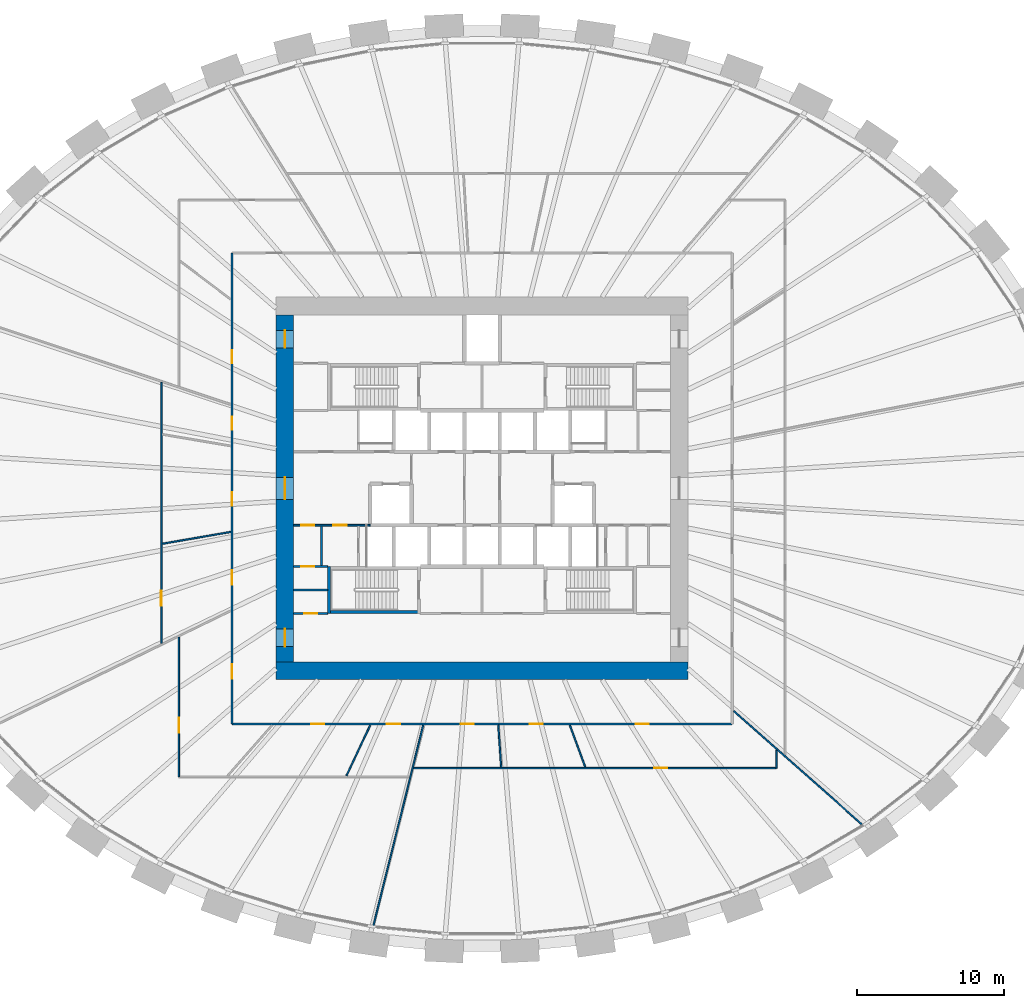
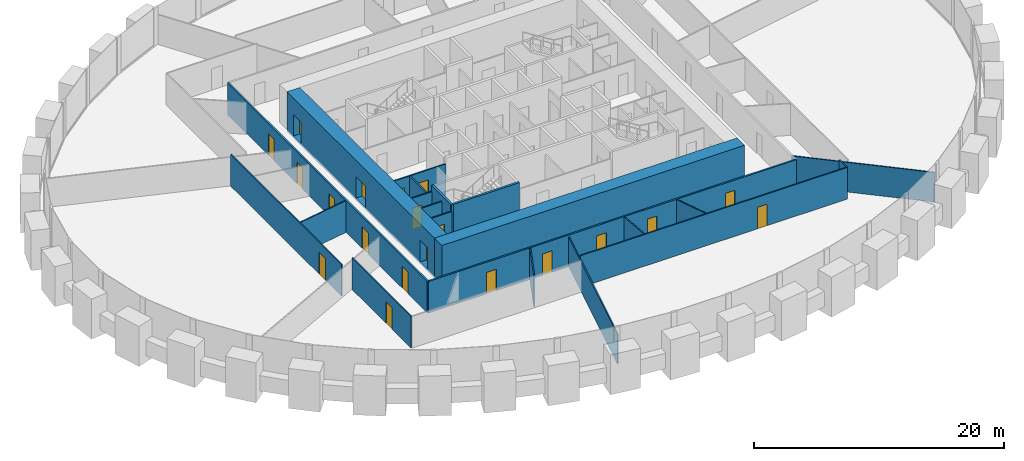
# One storey, part 6 of 11: 21 walls, 20 doors, 20 openings.
"""IFC4 building model written with IfcOpenShell, lengths in metres."""

from ifc_helpers import new_model, si_unit, direction, frame, frame_2d, origin, place, context, subcontext, project, spatial, rectangle, extrude, source, transform, mapped, material, layer, layer_set, type_object, element, fill, save


model = new_model("IFC4")

# Units and contexts
model_context = context("Model", 3, precision=1e-05, world=origin(), true_north=direction((0.0, 1.0)))
body_context = subcontext(model_context, "Body", "Model", "MODEL_VIEW")
ifc_project = project(units=[si_unit("LENGTHUNIT", "METRE"), si_unit("AREAUNIT", "SQUARE_METRE"), si_unit("VOLUMEUNIT", "CUBIC_METRE"), si_unit("PLANEANGLEUNIT", "RADIAN"), si_unit("MASSUNIT", "GRAM", prefix="KILO")], contexts=[model_context])

# Site, building, storey
site_placement = place(None, origin())
site = spatial("IfcSite", under=ifc_project, at=site_placement, CompositionType="ELEMENT")
building_placement = place(site_placement, origin())
building = spatial("IfcBuilding", under=site, at=building_placement, Name="Embergate Tower", CompositionType="ELEMENT")
storey_placement = place(building_placement, frame((0.0, 0.0, 58.10009765625)))
storey = spatial("IfcBuildingStorey", under=building, at=storey_placement, Name="L10", CompositionType="ELEMENT", Elevation=58.10009765625)

# Wall
ifc_material_1 = material(Name="Concrete C80", Category="concrete")
ifc_layer_1 = layer(ifc_material_1, 1.199951171875)
ifc_layer_set_1 = layer_set([ifc_layer_1], Name="Concrete C80")
wall_type_1 = type_object("IfcWallType", Name="Core outer wall C80 1200", PredefinedType="SHEAR", material=ifc_layer_set_1)
shared_shape_1 = source(origin(), body_context, "Body", "SweptSolid", [
    extrude(rectangle(XDim=28.0, YDim=1.199951171875, at=frame_2d((14.0, 0.0))), origin(), (0.0, 0.0, 1.0), 3.900146484375),
])
wall_1_placement = place(storey_placement, frame((-14.0, -12.39990234375, -0.2001953125), z_axis=(0.0, 0.0, 1.0), x_axis=(1.0, 0.0, 0.0)))
element("IfcWall", 1, at=wall_1_placement, inside=storey, type_object=wall_type_1, Name="CW-L10-S", PredefinedType="SHEAR", context=body_context, shape_type="MappedRepresentation", body=[
    mapped(shared_shape_1, transform((0.0, 0.0, 0.0))),
])

# Wall, openings, doors
shared_shape_2 = source(origin(), body_context, "Body", "SweptSolid", [
    extrude(rectangle(XDim=23.60009765625, YDim=1.199951171875, at=frame_2d((11.800048828125, 0.0))), origin(), (0.0, 0.0, 1.0), 3.900146484375),
])
wall_2_placement = place(storey_placement, frame((-13.39990234375, -11.800048828125, -0.2001953125), z_axis=(0.0, 0.0, 1.0), x_axis=(0.0, 1.0, 0.0)))
wall_2 = element("IfcWall", 2, at=wall_2_placement, inside=storey, type_object=wall_type_1, Name="CW-L10-W", PredefinedType="SHEAR", context=body_context, shape_type="MappedRepresentation", body=[
    mapped(shared_shape_2, transform((0.0, 0.0, 0.0))),
])
shared_shape_3 = source(origin(), body_context, "Body", "SweptSolid", [
    extrude(rectangle(XDim=1.199951171875, YDim=2.10009765625, at=frame_2d((0.60009765625, 1.050048828125))), frame((0.0, 0.60986328125, 0.0), z_axis=(0.0, -1.0, 0.0), x_axis=(1.0, 0.0, 0.0)), (0.0, 0.0, 1.0), 1.219970703125),
])
opening_1_placement = place(wall_2_placement, frame((21.35009765625, 0.0, 0.199951171875)))
opening_1 = element("IfcOpeningElement", 3, at=opening_1_placement, cuts=wall_2, Name="Opening IF-1", PredefinedType="OPENING", context=body_context, shape_type="MappedRepresentation", body=[
    mapped(shared_shape_3, transform((0.0, 0.0, 0.0))),
])
opening_2_placement = place(wall_2_placement, frame((1.050048828125, 0.0, 0.199951171875)))
opening_2 = element("IfcOpeningElement", 4, at=opening_2_placement, cuts=wall_2, Name="Opening IF-1", PredefinedType="OPENING", context=body_context, shape_type="MappedRepresentation", body=[
    mapped(shared_shape_3, transform((0.0, 0.0, 0.0))),
])
shared_shape_4 = source(origin(), body_context, "Body", "SweptSolid", [
    extrude(rectangle(XDim=1.5, YDim=2.10009765625, at=frame_2d((0.75, 1.050048828125))), frame((0.0, 0.60986328125, 0.0), z_axis=(0.0, -1.0, 0.0), x_axis=(1.0, 0.0, 0.0)), (0.0, 0.0, 1.0), 1.219970703125),
])
opening_3_placement = place(wall_2_placement, frame((11.050048828125, 0.0, 0.199951171875)))
opening_3 = element("IfcOpeningElement", 5, at=opening_3_placement, cuts=wall_2, Name="Opening IF-3", PredefinedType="OPENING", context=body_context, shape_type="MappedRepresentation", body=[
    mapped(shared_shape_4, transform((0.0, 0.0, 0.0))),
])
ifc_material_2 = material(Name="Escape fire door 1200")
door_type_1 = type_object("IfcDoorType", Name="Escape fire door 1200", OperationType="SINGLE_SWING_LEFT", PredefinedType="DOOR", material=ifc_material_2)
shared_shape_5 = source(origin(), body_context, "Body", "SweptSolid", [
    extrude(rectangle(XDim=1.199951171875, YDim=2.10009765625, at=frame_2d((0.60009765625, 1.050048828125))), frame((0.0, 0.02490234375, 0.0), z_axis=(0.0, -1.0, 0.0), x_axis=(1.0, 0.0, 0.0)), (0.0, 0.0, 1.0), 0.050048828125),
])
door_1_placement = place(opening_1_placement, origin())
door_1 = element("IfcDoor", 6, at=door_1_placement, inside=storey, type_object=door_type_1, Name="IF-1 door", OperationType="SINGLE_SWING_RIGHT", OverallHeight=2.10009765625, OverallWidth=1.199951171875, PredefinedType="DOOR", context=body_context, shape_type="MappedRepresentation", body=[
    mapped(shared_shape_5, transform((0.0, 0.0, 0.0))),
])
fill(opening_1, door_1)
door_2_placement = place(opening_2_placement, origin())
door_2 = element("IfcDoor", 7, at=door_2_placement, inside=storey, type_object=door_type_1, Name="IF-1 door", OperationType="SINGLE_SWING_LEFT", OverallHeight=2.10009765625, OverallWidth=1.199951171875, PredefinedType="DOOR", context=body_context, shape_type="MappedRepresentation", body=[
    mapped(shared_shape_5, transform((0.0, 0.0, 0.0))),
])
fill(opening_2, door_2)
ifc_material_3 = material(Name="Lobby fire door pair 1500")
door_type_2 = type_object("IfcDoorType", Name="Lobby fire door pair 1500", OperationType="DOUBLE_DOOR_SINGLE_SWING", PredefinedType="DOOR", material=ifc_material_3)
shared_shape_6 = source(origin(), body_context, "Body", "SweptSolid", [
    extrude(rectangle(XDim=1.5, YDim=2.10009765625, at=frame_2d((0.75, 1.050048828125))), frame((0.0, 0.02490234375, 0.0), z_axis=(0.0, -1.0, 0.0), x_axis=(1.0, 0.0, 0.0)), (0.0, 0.0, 1.0), 0.050048828125),
])
door_3_placement = place(opening_3_placement, origin())
door_3 = element("IfcDoor", 8, at=door_3_placement, inside=storey, type_object=door_type_2, Name="IF-3 door", OperationType="DOUBLE_DOOR_SINGLE_SWING", OverallHeight=2.10009765625, OverallWidth=1.5, PredefinedType="DOOR", context=body_context, shape_type="MappedRepresentation", body=[
    mapped(shared_shape_6, transform((0.0, 0.0, 0.0))),
])
fill(opening_3, door_3)

# Walls
ifc_material_4 = material(Name="Concrete C50", Category="concrete")
ifc_layer_2 = layer(ifc_material_4, 0.199951171875)
ifc_layer_set_2 = layer_set([ifc_layer_2], Name="Concrete C50")
wall_type_2 = type_object("IfcWallType", Name="Stair enclosure wall reinforced concrete 250", PredefinedType="SHEAR", material=ifc_layer_set_2)
shared_shape_7 = source(origin(), body_context, "Body", "SweptSolid", [
    extrude(rectangle(XDim=6.300048828125, YDim=0.199951171875, at=frame_2d((3.14990234375, 0.0))), origin(), (0.0, 0.0, 1.0), 3.699951171875),
])
wall_3_placement = place(storey_placement, frame((-10.5, -8.39990234375, 0.0), z_axis=(0.0, 0.0, 1.0), x_axis=(1.0, 0.0, 0.0)))
element("IfcWall", 9, at=wall_3_placement, inside=storey, type_object=wall_type_2, Name="SE-1 wall", PredefinedType="SHEAR", context=body_context, shape_type="MappedRepresentation", body=[
    mapped(shared_shape_7, transform((0.0, 0.0, 0.0))),
])
shared_shape_8 = source(origin(), body_context, "Body", "SweptSolid", [
    extrude(rectangle(XDim=3.199951171875, YDim=0.199951171875, at=frame_2d((1.60009765625, 0.0))), origin(), (0.0, 0.0, 1.0), 3.699951171875),
])
wall_4_placement = place(storey_placement, frame((-10.39990234375, -5.300048828125, 0.0), z_axis=(0.0, 0.0, 1.0), x_axis=(0.0, -1.0, 0.0)))
element("IfcWall", 10, at=wall_4_placement, inside=storey, type_object=wall_type_2, Name="SE-1 wall", PredefinedType="SHEAR", context=body_context, shape_type="MappedRepresentation", body=[
    mapped(shared_shape_8, transform((0.0, 0.0, 0.0))),
])

# Wall, openings, doors
ifc_material_5 = material(Name="Core partition blockwork 120")
ifc_layer_3 = layer(ifc_material_5, 0.1201171875)
ifc_layer_set_3 = layer_set([ifc_layer_3], Name="Core partition blockwork 120")
wall_type_3 = type_object("IfcWallType", Name="Core partition blockwork 120", PredefinedType="PARTITIONING", material=ifc_layer_set_3)
shared_shape_9 = source(origin(), body_context, "Body", "SweptSolid", [
    extrude(rectangle(XDim=5.199951171875, YDim=0.1201171875, at=frame_2d((2.60009765625, 0.0))), origin(), (0.0, 0.0, 1.0), 3.099853515625),
])
wall_5_placement = place(storey_placement, frame((-7.60009765625, -2.5, 0.0), z_axis=(0.0, 0.0, 1.0), x_axis=(-1.0, 0.0, 0.0)))
wall_5 = element("IfcWall", 11, at=wall_5_placement, inside=storey, type_object=wall_type_3, Name="IP-3 wall", PredefinedType="PARTITIONING", context=body_context, shape_type="MappedRepresentation", body=[
    mapped(shared_shape_9, transform((0.0, 0.0, 0.0))),
])
shared_shape_10 = source(origin(), body_context, "Body", "SweptSolid", [
    extrude(rectangle(XDim=0.89990234375, YDim=2.10009765625, at=frame_2d((0.449951171875, 1.050048828125))), frame((0.0, 0.070068359375, 0.0), z_axis=(0.0, -1.0, 0.0), x_axis=(1.0, 0.0, 0.0)), (0.0, 0.0, 1.0), 0.14013671875),
])
opening_4_placement = place(wall_5_placement, frame((3.803955078125, 0.0, 0.0)))
opening_4 = element("IfcOpeningElement", 12, at=opening_4_placement, cuts=wall_5, Name="Opening ID-1", PredefinedType="OPENING", context=body_context, shape_type="MappedRepresentation", body=[
    mapped(shared_shape_10, transform((0.0, 0.0, 0.0))),
])
opening_5_placement = place(wall_5_placement, frame((1.60400390625, 0.0, 0.0)))
opening_5 = element("IfcOpeningElement", 13, at=opening_5_placement, cuts=wall_5, Name="Opening ID-1", PredefinedType="OPENING", context=body_context, shape_type="MappedRepresentation", body=[
    mapped(shared_shape_10, transform((0.0, 0.0, 0.0))),
])
ifc_material_6 = material(Name="Interior door 900")
door_type_3 = type_object("IfcDoorType", Name="Interior door 900", OperationType="SINGLE_SWING_LEFT", PredefinedType="DOOR", material=ifc_material_6)
shared_shape_11 = source(origin(), body_context, "Body", "SweptSolid", [
    extrude(rectangle(XDim=0.89990234375, YDim=2.10009765625, at=frame_2d((0.449951171875, 1.050048828125))), frame((0.0, 0.02490234375, 0.0), z_axis=(0.0, -1.0, 0.0), x_axis=(1.0, 0.0, 0.0)), (0.0, 0.0, 1.0), 0.050048828125),
])
door_4_placement = place(opening_4_placement, origin())
door_4 = element("IfcDoor", 14, at=door_4_placement, inside=storey, type_object=door_type_3, Name="ID-1 door", OperationType="SINGLE_SWING_LEFT", OverallHeight=2.10009765625, OverallWidth=0.89990234375, PredefinedType="DOOR", context=body_context, shape_type="MappedRepresentation", body=[
    mapped(shared_shape_11, transform((0.0, 0.0, 0.0))),
])
fill(opening_4, door_4)
door_5_placement = place(opening_5_placement, origin())
door_5 = element("IfcDoor", 15, at=door_5_placement, inside=storey, type_object=door_type_3, Name="ID-1 door", OperationType="SINGLE_SWING_RIGHT", OverallHeight=2.10009765625, OverallWidth=0.89990234375, PredefinedType="DOOR", context=body_context, shape_type="MappedRepresentation", body=[
    mapped(shared_shape_11, transform((0.0, 0.0, 0.0))),
])
fill(opening_5, door_5)

# Wall, opening, door
shared_shape_12 = source(origin(), body_context, "Body", "SweptSolid", [
    extrude(rectangle(XDim=2.300048828125, YDim=0.1201171875, at=frame_2d((1.14990234375, 0.0))), origin(), (0.0, 0.0, 1.0), 3.099853515625),
])
wall_6_placement = place(storey_placement, frame((-10.5, -8.5, 0.0), z_axis=(0.0, 0.0, 1.0), x_axis=(-1.0, 0.0, 0.0)))
wall_6 = element("IfcWall", 16, at=wall_6_placement, inside=storey, type_object=wall_type_3, Name="IP-3 wall", PredefinedType="PARTITIONING", context=body_context, shape_type="MappedRepresentation", body=[
    mapped(shared_shape_12, transform((0.0, 0.0, 0.0))),
])
opening_6_placement = place(wall_6_placement, frame((0.699951171875, 0.0, 0.0)))
opening_6 = element("IfcOpeningElement", 17, at=opening_6_placement, cuts=wall_6, Name="Opening ID-1", PredefinedType="OPENING", context=body_context, shape_type="MappedRepresentation", body=[
    mapped(shared_shape_10, transform((0.0, 0.0, 0.0))),
])
door_6_placement = place(opening_6_placement, origin())
door_6 = element("IfcDoor", 18, at=door_6_placement, inside=storey, type_object=door_type_3, Name="ID-1 door", OperationType="SINGLE_SWING_LEFT", OverallHeight=2.10009765625, OverallWidth=0.89990234375, PredefinedType="DOOR", context=body_context, shape_type="MappedRepresentation", body=[
    mapped(shared_shape_11, transform((0.0, 0.0, 0.0))),
])
fill(opening_6, door_6)

wall_7_placement = place(storey_placement, frame((-12.800048828125, -5.300048828125, 0.0), z_axis=(0.0, 0.0, 1.0), x_axis=(1.0, 0.0, 0.0)))
wall_7 = element("IfcWall", 19, at=wall_7_placement, inside=storey, type_object=wall_type_3, Name="IP-3 wall", PredefinedType="PARTITIONING", context=body_context, shape_type="MappedRepresentation", body=[
    mapped(shared_shape_12, transform((0.0, 0.0, 0.0))),
])
opening_7_placement = place(wall_7_placement, frame((0.49609375, 0.0, 0.0)))
opening_7 = element("IfcOpeningElement", 20, at=opening_7_placement, cuts=wall_7, Name="Opening ID-1", PredefinedType="OPENING", context=body_context, shape_type="MappedRepresentation", body=[
    mapped(shared_shape_10, transform((0.0, 0.0, 0.0))),
])
door_7_placement = place(opening_7_placement, origin())
door_7 = element("IfcDoor", 21, at=door_7_placement, inside=storey, type_object=door_type_3, Name="ID-1 door", OperationType="SINGLE_SWING_LEFT", OverallHeight=2.10009765625, OverallWidth=0.89990234375, PredefinedType="DOOR", context=body_context, shape_type="MappedRepresentation", body=[
    mapped(shared_shape_11, transform((0.0, 0.0, 0.0))),
])
fill(opening_7, door_7)

# Walls
wall_8_placement = place(storey_placement, frame((-10.5, -6.89990234375, 0.0), z_axis=(0.0, 0.0, 1.0), x_axis=(-1.0, 0.0, 0.0)))
element("IfcWall", 22, at=wall_8_placement, inside=storey, type_object=wall_type_3, Name="IP-3 wall", PredefinedType="PARTITIONING", context=body_context, shape_type="MappedRepresentation", body=[
    mapped(shared_shape_12, transform((0.0, 0.0, 0.0))),
])
shared_shape_13 = source(origin(), body_context, "Body", "SweptSolid", [
    extrude(rectangle(XDim=2.679931640625, YDim=0.1201171875, at=frame_2d((1.33984375, 0.0))), origin(), (0.0, 0.0, 1.0), 3.099853515625),
])
wall_9_placement = place(storey_placement, frame((-10.907958984375, -5.239990234375, 0.0), z_axis=(0.0, 0.0, 1.0), x_axis=(0.0, 1.0, 0.0)))
element("IfcWall", 23, at=wall_9_placement, inside=storey, type_object=wall_type_3, Name="IP-3 wall", PredefinedType="PARTITIONING", context=body_context, shape_type="MappedRepresentation", body=[
    mapped(shared_shape_13, transform((0.0, 0.0, 0.0))),
])

# Wall, openings, doors
ifc_material_7 = material(Name="Corridor wall dry-lined 150")
ifc_layer_4 = layer(ifc_material_7, 0.14990234375)
ifc_layer_set_4 = layer_set([ifc_layer_4], Name="Corridor wall dry-lined 150")
wall_type_4 = type_object("IfcWallType", Name="Corridor wall dry-lined 150", PredefinedType="PARTITIONING", material=ifc_layer_set_4)
shared_shape_14 = source(origin(), body_context, "Body", "SweptSolid", [
    extrude(rectangle(XDim=34.0, YDim=0.14990234375, at=frame_2d((17.0, 0.0))), origin(), (0.0, 0.0, 1.0), 3.099853515625),
])
wall_10_placement = place(storey_placement, frame((17.0, -16.0, 0.0), z_axis=(0.0, 0.0, 1.0), x_axis=(-1.0, 0.0, 0.0)))
wall_10 = element("IfcWall", 24, at=wall_10_placement, inside=storey, type_object=wall_type_4, Name="IP-2 wall", PredefinedType="PARTITIONING", context=body_context, shape_type="MappedRepresentation", body=[
    mapped(shared_shape_14, transform((0.0, 0.0, 0.0))),
])
shared_shape_15 = source(origin(), body_context, "Body", "SweptSolid", [
    extrude(rectangle(XDim=0.89990234375, YDim=2.10009765625, at=frame_2d((0.449951171875, 1.050048828125))), frame((0.0, 0.0849609375, 0.0), z_axis=(0.0, -1.0, 0.0), x_axis=(1.0, 0.0, 0.0)), (0.0, 0.0, 1.0), 0.169921875),
])
opening_8_placement = place(wall_10_placement, frame((27.721923828125, 0.0, 0.0)))
opening_8 = element("IfcOpeningElement", 25, at=opening_8_placement, cuts=wall_10, Name="Opening IF-1c", PredefinedType="OPENING", context=body_context, shape_type="MappedRepresentation", body=[
    mapped(shared_shape_15, transform((0.0, 0.0, 0.0))),
])
opening_9_placement = place(wall_10_placement, frame((22.56494140625, 0.0, 0.0)))
opening_9 = element("IfcOpeningElement", 26, at=opening_9_placement, cuts=wall_10, Name="Opening IF-1c", PredefinedType="OPENING", context=body_context, shape_type="MappedRepresentation", body=[
    mapped(shared_shape_15, transform((0.0, 0.0, 0.0))),
])
opening_10_placement = place(wall_10_placement, frame((17.56103515625, 0.0, 0.0)))
opening_10 = element("IfcOpeningElement", 27, at=opening_10_placement, cuts=wall_10, Name="Opening IF-1c", PredefinedType="OPENING", context=body_context, shape_type="MappedRepresentation", body=[
    mapped(shared_shape_15, transform((0.0, 0.0, 0.0))),
])
opening_11_placement = place(wall_10_placement, frame((12.873046875, 0.0, 0.0)))
opening_11 = element("IfcOpeningElement", 28, at=opening_11_placement, cuts=wall_10, Name="Opening IF-1c", PredefinedType="OPENING", context=body_context, shape_type="MappedRepresentation", body=[
    mapped(shared_shape_15, transform((0.0, 0.0, 0.0))),
])
opening_12_placement = place(wall_10_placement, frame((5.662109375, 0.0, 0.0)))
opening_12 = element("IfcOpeningElement", 29, at=opening_12_placement, cuts=wall_10, Name="Opening IF-1c", PredefinedType="OPENING", context=body_context, shape_type="MappedRepresentation", body=[
    mapped(shared_shape_15, transform((0.0, 0.0, 0.0))),
])
ifc_material_8 = material(Name="Escape fire door 900")
door_type_4 = type_object("IfcDoorType", Name="Escape fire door 900", OperationType="SINGLE_SWING_LEFT", PredefinedType="DOOR", material=ifc_material_8)
door_8_placement = place(opening_8_placement, origin())
door_8 = element("IfcDoor", 30, at=door_8_placement, inside=storey, type_object=door_type_4, Name="IF-1 door", OperationType="SINGLE_SWING_LEFT", OverallHeight=2.10009765625, OverallWidth=0.89990234375, PredefinedType="DOOR", context=body_context, shape_type="MappedRepresentation", body=[
    mapped(shared_shape_11, transform((0.0, 0.0, 0.0))),
])
fill(opening_8, door_8)
door_9_placement = place(opening_9_placement, origin())
door_9 = element("IfcDoor", 31, at=door_9_placement, inside=storey, type_object=door_type_4, Name="IF-1 door", OperationType="SINGLE_SWING_RIGHT", OverallHeight=2.10009765625, OverallWidth=0.89990234375, PredefinedType="DOOR", context=body_context, shape_type="MappedRepresentation", body=[
    mapped(shared_shape_11, transform((0.0, 0.0, 0.0))),
])
fill(opening_9, door_9)
door_10_placement = place(opening_10_placement, origin())
door_10 = element("IfcDoor", 32, at=door_10_placement, inside=storey, type_object=door_type_4, Name="IF-1 door", OperationType="SINGLE_SWING_LEFT", OverallHeight=2.10009765625, OverallWidth=0.89990234375, PredefinedType="DOOR", context=body_context, shape_type="MappedRepresentation", body=[
    mapped(shared_shape_11, transform((0.0, 0.0, 0.0))),
])
fill(opening_10, door_10)
door_11_placement = place(opening_11_placement, origin())
door_11 = element("IfcDoor", 33, at=door_11_placement, inside=storey, type_object=door_type_4, Name="IF-1 door", OperationType="SINGLE_SWING_LEFT", OverallHeight=2.10009765625, OverallWidth=0.89990234375, PredefinedType="DOOR", context=body_context, shape_type="MappedRepresentation", body=[
    mapped(shared_shape_11, transform((0.0, 0.0, 0.0))),
])
fill(opening_11, door_11)
door_12_placement = place(opening_12_placement, origin())
door_12 = element("IfcDoor", 34, at=door_12_placement, inside=storey, type_object=door_type_4, Name="IF-1 door", OperationType="SINGLE_SWING_LEFT", OverallHeight=2.10009765625, OverallWidth=0.89990234375, PredefinedType="DOOR", context=body_context, shape_type="MappedRepresentation", body=[
    mapped(shared_shape_11, transform((0.0, 0.0, 0.0))),
])
fill(opening_12, door_12)

shared_shape_16 = source(origin(), body_context, "Body", "SweptSolid", [
    extrude(rectangle(XDim=32.0, YDim=0.14990234375, at=frame_2d((16.0, 0.0))), origin(), (0.0, 0.0, 1.0), 3.099853515625),
])
wall_11_placement = place(storey_placement, frame((-17.0, -16.0, 0.0), z_axis=(0.0, 0.0, 1.0), x_axis=(0.0, 1.0, 0.0)))
wall_11 = element("IfcWall", 35, at=wall_11_placement, inside=storey, type_object=wall_type_4, Name="IP-2 wall", PredefinedType="PARTITIONING", context=body_context, shape_type="MappedRepresentation", body=[
    mapped(shared_shape_16, transform((0.0, 0.0, 0.0))),
])
shared_shape_17 = source(origin(), body_context, "Body", "SweptSolid", [
    extrude(rectangle(XDim=1.0, YDim=2.10009765625, at=frame_2d((0.5, 1.050048828125))), frame((0.0, 0.0849609375, 0.0), z_axis=(0.0, -1.0, 0.0), x_axis=(1.0, 0.0, 0.0)), (0.0, 0.0, 1.0), 0.169921875),
])
opening_13_placement = place(wall_11_placement, frame((3.054931640625, 0.0, 0.0)))
opening_13 = element("IfcOpeningElement", 36, at=opening_13_placement, cuts=wall_11, Name="Opening ID-2", PredefinedType="OPENING", context=body_context, shape_type="MappedRepresentation", body=[
    mapped(shared_shape_17, transform((0.0, 0.0, 0.0))),
])
opening_14_placement = place(wall_11_placement, frame((24.5048828125, 0.0, 0.0)))
opening_14 = element("IfcOpeningElement", 37, at=opening_14_placement, cuts=wall_11, Name="Opening IF-1c", PredefinedType="OPENING", context=body_context, shape_type="MappedRepresentation", body=[
    mapped(shared_shape_15, transform((0.0, 0.0, 0.0))),
])
opening_15_placement = place(wall_11_placement, frame((19.98291015625, 0.0, 0.0)))
opening_15 = element("IfcOpeningElement", 38, at=opening_15_placement, cuts=wall_11, Name="Opening IF-1c", PredefinedType="OPENING", context=body_context, shape_type="MappedRepresentation", body=[
    mapped(shared_shape_15, transform((0.0, 0.0, 0.0))),
])
opening_16_placement = place(wall_11_placement, frame((14.826904296875, 0.0, 0.0)))
opening_16 = element("IfcOpeningElement", 39, at=opening_16_placement, cuts=wall_11, Name="Opening IF-1c", PredefinedType="OPENING", context=body_context, shape_type="MappedRepresentation", body=[
    mapped(shared_shape_15, transform((0.0, 0.0, 0.0))),
])
opening_17_placement = place(wall_11_placement, frame((9.443115234375, 0.0, 0.0)))
opening_17 = element("IfcOpeningElement", 40, at=opening_17_placement, cuts=wall_11, Name="Opening ID-2", PredefinedType="OPENING", context=body_context, shape_type="MappedRepresentation", body=[
    mapped(shared_shape_17, transform((0.0, 0.0, 0.0))),
])
door_13_placement = place(opening_14_placement, origin())
door_13 = element("IfcDoor", 41, at=door_13_placement, inside=storey, type_object=door_type_4, Name="IF-1 door", OperationType="SINGLE_SWING_LEFT", OverallHeight=2.10009765625, OverallWidth=0.89990234375, PredefinedType="DOOR", context=body_context, shape_type="MappedRepresentation", body=[
    mapped(shared_shape_11, transform((0.0, 0.0, 0.0))),
])
fill(opening_14, door_13)
door_14_placement = place(opening_15_placement, origin())
door_14 = element("IfcDoor", 42, at=door_14_placement, inside=storey, type_object=door_type_4, Name="IF-1 door", OperationType="SINGLE_SWING_RIGHT", OverallHeight=2.10009765625, OverallWidth=0.89990234375, PredefinedType="DOOR", context=body_context, shape_type="MappedRepresentation", body=[
    mapped(shared_shape_11, transform((0.0, 0.0, 0.0))),
])
fill(opening_15, door_14)
door_15_placement = place(opening_16_placement, origin())
door_15 = element("IfcDoor", 43, at=door_15_placement, inside=storey, type_object=door_type_4, Name="IF-1 door", OperationType="SINGLE_SWING_RIGHT", OverallHeight=2.10009765625, OverallWidth=0.89990234375, PredefinedType="DOOR", context=body_context, shape_type="MappedRepresentation", body=[
    mapped(shared_shape_11, transform((0.0, 0.0, 0.0))),
])
fill(opening_16, door_15)
ifc_material_9 = material(Name="Interior door 1000")
door_type_5 = type_object("IfcDoorType", Name="Interior door 1000", OperationType="SINGLE_SWING_LEFT", PredefinedType="DOOR", material=ifc_material_9)
shared_shape_18 = source(origin(), body_context, "Body", "SweptSolid", [
    extrude(rectangle(XDim=1.0, YDim=2.10009765625, at=frame_2d((0.5, 1.050048828125))), frame((0.0, 0.02490234375, 0.0), z_axis=(0.0, -1.0, 0.0), x_axis=(1.0, 0.0, 0.0)), (0.0, 0.0, 1.0), 0.050048828125),
])
door_16_placement = place(opening_13_placement, origin())
door_16 = element("IfcDoor", 44, at=door_16_placement, inside=storey, type_object=door_type_5, Name="ID-2 door", OperationType="SINGLE_SWING_LEFT", OverallHeight=2.10009765625, OverallWidth=1.0, PredefinedType="DOOR", context=body_context, shape_type="MappedRepresentation", body=[
    mapped(shared_shape_18, transform((0.0, 0.0, 0.0))),
])
fill(opening_13, door_16)
door_17_placement = place(opening_17_placement, origin())
door_17 = element("IfcDoor", 45, at=door_17_placement, inside=storey, type_object=door_type_5, Name="ID-2 door", OperationType="SINGLE_SWING_LEFT", OverallHeight=2.10009765625, OverallWidth=1.0, PredefinedType="DOOR", context=body_context, shape_type="MappedRepresentation", body=[
    mapped(shared_shape_18, transform((0.0, 0.0, 0.0))),
])
fill(opening_17, door_17)

# Wall, opening, door
ifc_material_10 = material(Name="Partition dry-lined 100")
ifc_layer_5 = layer(ifc_material_10, 0.10009765625)
ifc_layer_set_5 = layer_set([ifc_layer_5], Name="Partition dry-lined 100")
wall_type_5 = type_object("IfcWallType", Name="Partition dry-lined 100", PredefinedType="PARTITIONING", material=ifc_layer_set_5)
shared_shape_19 = source(origin(), body_context, "Body", "SweptSolid", [
    extrude(rectangle(XDim=9.4912109375, YDim=0.10009765625, at=frame_2d((4.74560546875, 0.0))), origin(), (0.0, 0.0, 1.0), 3.099853515625),
])
wall_12_placement = place(storey_placement, frame((-20.60009765625, -19.60009765625, 0.0), z_axis=(0.0, 0.0, 1.0), x_axis=(0.0, 1.0, 0.0)))
wall_12 = element("IfcWall", 46, at=wall_12_placement, inside=storey, type_object=wall_type_5, Name="IP-1 wall", PredefinedType="PARTITIONING", context=body_context, shape_type="MappedRepresentation", body=[
    mapped(shared_shape_19, transform((0.0, 0.0, 0.0))),
])
shared_shape_20 = source(origin(), body_context, "Body", "SweptSolid", [
    extrude(rectangle(XDim=1.0, YDim=2.10009765625, at=frame_2d((0.5, 1.050048828125))), frame((0.0, 0.06005859375, 0.0), z_axis=(0.0, -1.0, 0.0), x_axis=(1.0, 0.0, 0.0)), (0.0, 0.0, 1.0), 0.1201171875),
])
opening_18_placement = place(wall_12_placement, frame((3.010009765625, 0.0, 0.0)))
opening_18 = element("IfcOpeningElement", 47, at=opening_18_placement, cuts=wall_12, Name="Opening ID-2", PredefinedType="OPENING", context=body_context, shape_type="MappedRepresentation", body=[
    mapped(shared_shape_20, transform((0.0, 0.0, 0.0))),
])
door_18_placement = place(opening_18_placement, origin())
door_18 = element("IfcDoor", 48, at=door_18_placement, inside=storey, type_object=door_type_5, Name="ID-2 door", OperationType="SINGLE_SWING_RIGHT", OverallHeight=2.10009765625, OverallWidth=1.0, PredefinedType="DOOR", context=body_context, shape_type="MappedRepresentation", body=[
    mapped(shared_shape_18, transform((0.0, 0.0, 0.0))),
])
fill(opening_18, door_18)

# Walls
shared_shape_21 = source(origin(), body_context, "Body", "SweptSolid", [
    extrude(rectangle(XDim=3.79638671875, YDim=0.10009765625, at=frame_2d((1.898193359375, 0.0))), origin(), (0.0, 0.0, 1.0), 3.099853515625),
])
wall_13_placement = place(storey_placement, frame((-7.60107421875, -16.095947265625, 0.0), z_axis=(0.0, 0.0, 1.0), x_axis=(-0.426933274137, -0.904283130128, 0.0)))
element("IfcWall", 49, at=wall_13_placement, inside=storey, type_object=wall_type_5, Name="IP-1 wall", PredefinedType="PARTITIONING", context=body_context, shape_type="MappedRepresentation", body=[
    mapped(shared_shape_21, transform((0.0, 0.0, 0.0))),
])
shared_shape_22 = source(origin(), body_context, "Body", "SweptSolid", [
    extrude(rectangle(XDim=14.09716796875, YDim=0.10009765625, at=frame_2d((7.048583984375, 0.0))), origin(), (0.0, 0.0, 1.0), 2.89990234375),
])
wall_14_placement = place(storey_placement, frame((-7.39697265625, -29.76806640625, 0.0), z_axis=(0.0, 0.0, 1.0), x_axis=(0.241174373268, 0.970481798736, 0.0)))
element("IfcWall", 50, at=wall_14_placement, inside=storey, type_object=wall_type_5, Name="IP-1 wall", PredefinedType="PARTITIONING", context=body_context, shape_type="MappedRepresentation", body=[
    mapped(shared_shape_22, transform((0.0, 0.0, 0.0))),
])
ifc_material_11 = material(Name="Partition dry-lined 100 wet")
ifc_layer_6 = layer(ifc_material_11, 0.10009765625)
ifc_layer_set_6 = layer_set([ifc_layer_6], Name="Partition dry-lined 100 wet")
wall_type_6 = type_object("IfcWallType", Name="Partition dry-lined 100 wet", PredefinedType="PLUMBINGWALL", material=ifc_layer_set_6)
shared_shape_23 = source(origin(), body_context, "Body", "SweptSolid", [
    extrude(rectangle(XDim=2.8818359375, YDim=0.10009765625, at=frame_2d((1.44091796875, 0.0))), origin(), (0.0, 0.0, 1.0), 3.099853515625),
])
wall_15_placement = place(storey_placement, frame((1.10107421875, -16.074951171875, 0.0), z_axis=(0.0, 0.0, 1.0), x_axis=(0.068368861267, -0.997660111866, 0.0)))
element("IfcWall", 51, at=wall_15_placement, inside=storey, type_object=wall_type_6, Name="IP-1 wall", PredefinedType="PLUMBINGWALL", context=body_context, shape_type="MappedRepresentation", body=[
    mapped(shared_shape_23, transform((0.0, 0.0, 0.0))),
])

# Wall, opening, door
shared_shape_24 = source(origin(), body_context, "Body", "SweptSolid", [
    extrude(rectangle(XDim=24.656982421875, YDim=0.10009765625, at=frame_2d((12.32861328125, 0.0))), origin(), (0.0, 0.0, 1.0), 3.099853515625),
])
wall_16_placement = place(storey_placement, frame((-4.656982421875, -19.0, 0.0), z_axis=(0.0, 0.0, 1.0), x_axis=(1.0, 0.0, 0.0)))
wall_16 = element("IfcWall", 52, at=wall_16_placement, inside=storey, type_object=wall_type_6, Name="IP-1 wall", PredefinedType="PLUMBINGWALL", context=body_context, shape_type="MappedRepresentation", body=[
    mapped(shared_shape_24, transform((0.0, 0.0, 0.0))),
])
shared_shape_25 = source(origin(), body_context, "Body", "SweptSolid", [
    extrude(rectangle(XDim=0.89990234375, YDim=2.10009765625, at=frame_2d((0.449951171875, 1.050048828125))), frame((0.0, 0.06005859375, 0.0), z_axis=(0.0, -1.0, 0.0), x_axis=(1.0, 0.0, 0.0)), (0.0, 0.0, 1.0), 0.1201171875),
])
opening_19_placement = place(wall_16_placement, frame((16.34912109375, 0.0, 0.0)))
opening_19 = element("IfcOpeningElement", 53, at=opening_19_placement, cuts=wall_16, Name="Opening ID-1", PredefinedType="OPENING", context=body_context, shape_type="MappedRepresentation", body=[
    mapped(shared_shape_25, transform((0.0, 0.0, 0.0))),
])
door_19_placement = place(opening_19_placement, origin())
door_19 = element("IfcDoor", 54, at=door_19_placement, inside=storey, type_object=door_type_3, Name="ID-1 door", OperationType="SINGLE_SWING_LEFT", OverallHeight=2.10009765625, OverallWidth=0.89990234375, PredefinedType="DOOR", context=body_context, shape_type="MappedRepresentation", body=[
    mapped(shared_shape_11, transform((0.0, 0.0, 0.0))),
])
fill(opening_19, door_19)

# Walls
shared_shape_26 = source(origin(), body_context, "Body", "SweptSolid", [
    extrude(rectangle(XDim=3.029541015625, YDim=0.10009765625, at=frame_2d((1.5146484375, 0.0))), origin(), (0.0, 0.0, 1.0), 3.099853515625),
])
wall_17_placement = place(storey_placement, frame((5.958984375, -16.092041015625, 0.0), z_axis=(0.0, 0.0, 1.0), x_axis=(0.347243490024, -0.937775004271, 0.0)))
element("IfcWall", 55, at=wall_17_placement, inside=storey, type_object=wall_type_6, Name="IP-1 wall", PredefinedType="PLUMBINGWALL", context=body_context, shape_type="MappedRepresentation", body=[
    mapped(shared_shape_26, transform((0.0, 0.0, 0.0))),
])
shared_shape_27 = source(origin(), body_context, "Body", "SweptSolid", [
    extrude(rectangle(XDim=11.715576171875, YDim=0.10009765625, at=frame_2d((5.85791015625, 0.0))), origin(), (0.0, 0.0, 1.0), 2.89990234375),
])
wall_18_placement = place(storey_placement, frame((17.10791015625, -15.12890625, 0.0), z_axis=(0.0, 0.0, 1.0), x_axis=(0.749102754404, -0.662453819783, 0.0)))
element("IfcWall", 56, at=wall_18_placement, inside=storey, type_object=wall_type_6, Name="IP-1 wall", PredefinedType="PLUMBINGWALL", context=body_context, shape_type="MappedRepresentation", body=[
    mapped(shared_shape_27, transform((0.0, 0.0, 0.0))),
])
shared_shape_28 = source(origin(), body_context, "Body", "SweptSolid", [
    extrude(rectangle(XDim=1.202880859375, YDim=0.10009765625, at=frame_2d((0.6015625, 0.0))), origin(), (0.0, 0.0, 1.0), 3.099853515625),
])
wall_19_placement = place(storey_placement, frame((20.0, -17.797119140625, 0.0), z_axis=(0.0, 0.0, 1.0), x_axis=(0.0, -1.0, 0.0)))
element("IfcWall", 57, at=wall_19_placement, inside=storey, type_object=wall_type_6, Name="IP-1 wall", PredefinedType="PLUMBINGWALL", context=body_context, shape_type="MappedRepresentation", body=[
    mapped(shared_shape_28, transform((0.0, 0.0, 0.0))),
])

# Wall, opening, door
shared_shape_29 = source(origin(), body_context, "Body", "SweptSolid", [
    extrude(rectangle(XDim=17.743896484375, YDim=0.10009765625, at=frame_2d((8.8720703125, 0.0))), origin(), (0.0, 0.0, 1.0), 3.099853515625),
])
wall_20_placement = place(storey_placement, frame((-21.800048828125, -10.533935546875, 0.0), z_axis=(0.0, 0.0, 1.0), x_axis=(0.0, 1.0, 0.0)))
wall_20 = element("IfcWall", 58, at=wall_20_placement, inside=storey, type_object=wall_type_5, Name="IP-1 wall", PredefinedType="PARTITIONING", context=body_context, shape_type="MappedRepresentation", body=[
    mapped(shared_shape_29, transform((0.0, 0.0, 0.0))),
])
opening_20_placement = place(wall_20_placement, frame((2.57861328125, 0.0, 0.0)))
opening_20 = element("IfcOpeningElement", 59, at=opening_20_placement, cuts=wall_20, Name="Opening ID-2", PredefinedType="OPENING", context=body_context, shape_type="MappedRepresentation", body=[
    mapped(shared_shape_20, transform((0.0, 0.0, 0.0))),
])
door_20_placement = place(opening_20_placement, origin())
door_20 = element("IfcDoor", 60, at=door_20_placement, inside=storey, type_object=door_type_5, Name="ID-2 door", OperationType="SINGLE_SWING_LEFT", OverallHeight=2.10009765625, OverallWidth=1.0, PredefinedType="DOOR", context=body_context, shape_type="MappedRepresentation", body=[
    mapped(shared_shape_18, transform((0.0, 0.0, 0.0))),
])
fill(opening_20, door_20)

# Wall
shared_shape_30 = source(origin(), body_context, "Body", "SweptSolid", [
    extrude(rectangle(XDim=4.726318359375, YDim=0.10009765625, at=frame_2d((2.36328125, 0.0))), origin(), (0.0, 0.0, 1.0), 3.099853515625),
])
wall_21_placement = place(storey_placement, frame((-17.083984375, -2.9560546875, 0.0), z_axis=(0.0, 0.0, 1.0), x_axis=(-0.985354345091, -0.170519249968, 0.0)))
element("IfcWall", 61, at=wall_21_placement, inside=storey, type_object=wall_type_5, Name="IP-1 wall", PredefinedType="PARTITIONING", context=body_context, shape_type="MappedRepresentation", body=[
    mapped(shared_shape_30, transform((0.0, 0.0, 0.0))),
])

save(model, "model.ifc")
